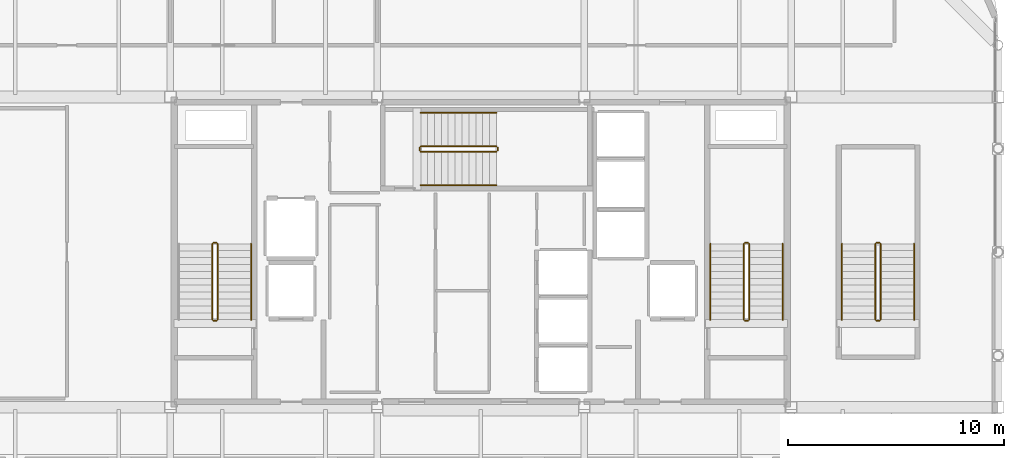
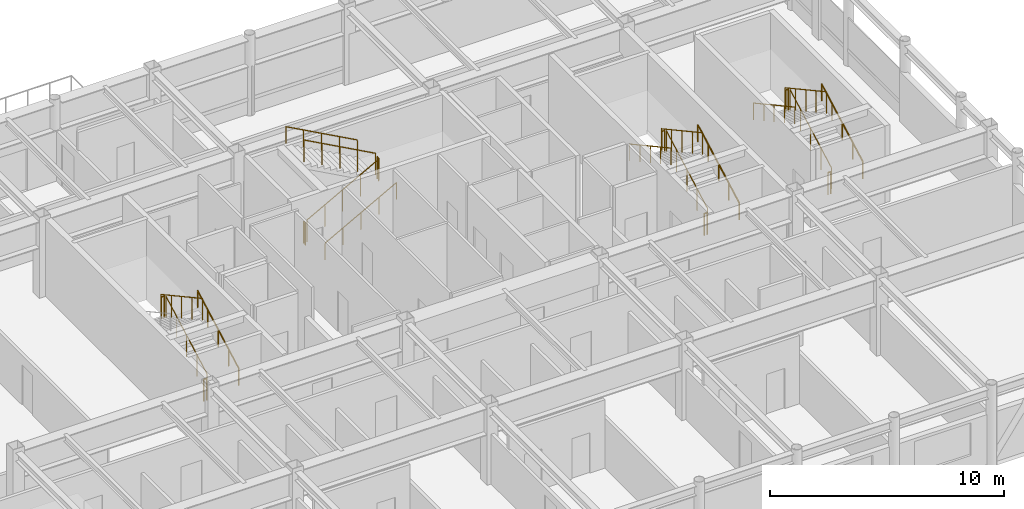
# One storey, part 22 of 23: 23 railings.
"""IFC4 building model written with IfcOpenShell, lengths in metres."""

from ifc_helpers import new_model, si_unit, direction, frame, origin, origin_2d, place, context, subcontext, project, spatial, circle, extrude, material, layer, layer_set, type_object, element, save


model = new_model("IFC4")

# Units and contexts
model_context = context("Model", 3, precision=1e-05, world=origin(), true_north=direction((0.0, 1.0)))
body_context = subcontext(model_context, "Body", "Model", "MODEL_VIEW")
ifc_project = project(units=[si_unit("LENGTHUNIT", "METRE"), si_unit("AREAUNIT", "SQUARE_METRE"), si_unit("VOLUMEUNIT", "CUBIC_METRE"), si_unit("PLANEANGLEUNIT", "RADIAN"), si_unit("MASSUNIT", "GRAM", prefix="KILO")], contexts=[model_context])

# Site, building, storey
site_placement = place(None, origin())
site = spatial("IfcSite", under=ifc_project, at=site_placement, CompositionType="ELEMENT")
building_placement = place(site_placement, origin())
building = spatial("IfcBuilding", under=site, at=building_placement, Name="Kallvorn Hotel Tower", CompositionType="ELEMENT")
storey_placement = place(building_placement, frame((0.0, 0.0, 282.199951171875)))
storey = spatial("IfcBuildingStorey", under=building, at=storey_placement, Name="L70", CompositionType="ELEMENT", Elevation=282.199951171875)

# Railings
ifc_material_1 = material(Name="Brushed stainless-steel tubular railing", Category="steel")
ifc_layer_1 = layer(ifc_material_1, 0.050048828125)
ifc_layer_set_1 = layer_set([ifc_layer_1], Name="RL_STAIR_GUARD")
railing_type_1 = type_object("IfcRailingType", Name="RL_STAIR_GUARD", PredefinedType="GUARDRAIL", material=ifc_layer_set_1)
railing_1_placement = place(storey_placement, frame((-12.2099609375, -3.139892578125, 0.175048828125)))
element("IfcRailing", 1, at=railing_1_placement, inside=storey, type_object=railing_type_1, Name="L70 ST1 stair guard 1", PredefinedType="GUARDRAIL", context=body_context, shape_type="SweptSolid", body=[
    extrude(circle(Radius=0.02392578125, at=origin_2d()), frame((0.0, 0.0, 1.1259765625), z_axis=(0.0, 0.877353125902, 0.479845279721), x_axis=(-1.0, 0.0, 0.0)), (0.0, 0.0, 1.0), 4.01171875),
    extrude(circle(Radius=0.02099609375, at=origin_2d()), origin(), (0.0, 0.0, 1.0), 1.101806640625),
    extrude(circle(Radius=0.02099609375, at=origin_2d()), frame((0.0, 0.8798828125, 0.481201171875)), (0.0, 0.0, 1.0), 1.101806640625),
    extrude(circle(Radius=0.02099609375, at=origin_2d()), frame((0.0, 1.759765625, 0.96240234375)), (0.0, 0.0, 1.0), 1.101806640625),
    extrude(circle(Radius=0.02099609375, at=origin_2d()), frame((0.0, 2.639892578125, 1.44384765625)), (0.0, 0.0, 1.0), 1.101806640625),
    extrude(circle(Radius=0.02099609375, at=origin_2d()), frame((0.0, 3.519775390625, 1.925048828125)), (0.0, 0.0, 1.0), 1.101806640625),
])
railing_2_placement = place(storey_placement, frame((-12.260009765625, 0.429931640625, 2.10009765625)))
element("IfcRailing", 2, at=railing_2_placement, inside=storey, type_object=railing_type_1, Name="L70 ST1 stair guard 2", PredefinedType="GUARDRAIL", context=body_context, shape_type="SweptSolid", body=[
    extrude(circle(Radius=0.02392578125, at=origin_2d()), frame((0.0, 0.0, 1.1259765625), z_axis=(-1.0, 0.0, 0.0), x_axis=(0.0, -1.0, 0.0)), (0.0, 0.0, 1.0), 0.139892578125),
    extrude(circle(Radius=0.02099609375, at=origin_2d()), origin(), (0.0, 0.0, 1.0), 1.101806640625),
    extrude(circle(Radius=0.02099609375, at=origin_2d()), frame((-0.139892578125, 0.0, 0.0)), (0.0, 0.0, 1.0), 1.101806640625),
])
railing_3_placement = place(storey_placement, frame((-12.449951171875, 0.3798828125, 2.275146484375)))
element("IfcRailing", 3, at=railing_3_placement, inside=storey, type_object=railing_type_1, Name="L70 ST1 stair guard 3", PredefinedType="GUARDRAIL", context=body_context, shape_type="SweptSolid", body=[
    extrude(circle(Radius=0.02392578125, at=origin_2d()), frame((0.0, 0.0, 1.1259765625), z_axis=(0.0, -0.877378745167, 0.479798434272), x_axis=(1.0, 0.0, 0.0)), (0.0, 0.0, 1.0), 4.01171875),
    extrude(circle(Radius=0.02099609375, at=origin_2d()), origin(), (0.0, 0.0, 1.0), 1.101806640625),
    extrude(circle(Radius=0.02099609375, at=origin_2d()), frame((0.0, -0.8798828125, 0.481201171875)), (0.0, 0.0, 1.0), 1.101806640625),
    extrude(circle(Radius=0.02099609375, at=origin_2d()), frame((0.0, -1.759765625, 0.96240234375)), (0.0, 0.0, 1.0), 1.101806640625),
    extrude(circle(Radius=0.02099609375, at=origin_2d()), frame((0.0, -2.639892578125, 1.443603515625)), (0.0, 0.0, 1.0), 1.101806640625),
    extrude(circle(Radius=0.02099609375, at=origin_2d()), frame((0.0, -3.519775390625, 1.9248046875)), (0.0, 0.0, 1.0), 1.101806640625),
])
railing_4_placement = place(storey_placement, frame((-12.260009765625, -3.18994140625, 0.0)))
element("IfcRailing", 4, at=railing_4_placement, inside=storey, type_object=railing_type_1, Name="L70 ST1 stair guard 4", PredefinedType="GUARDRAIL", context=body_context, shape_type="SweptSolid", body=[
    extrude(circle(Radius=0.02392578125, at=origin_2d()), frame((0.0, 0.0, 1.1259765625), z_axis=(-1.0, 0.0, 0.0), x_axis=(0.0, -1.0, 0.0)), (0.0, 0.0, 1.0), 0.139892578125),
    extrude(circle(Radius=0.02099609375, at=origin_2d()), origin(), (0.0, 0.0, 1.0), 1.101806640625),
    extrude(circle(Radius=0.02099609375, at=origin_2d()), frame((-0.139892578125, 0.0, 0.0)), (0.0, 0.0, 1.0), 1.101806640625),
])
railing_5_placement = place(storey_placement, frame((12.449951171875, -3.139892578125, 0.175048828125)))
element("IfcRailing", 5, at=railing_5_placement, inside=storey, type_object=railing_type_1, Name="L70 ST2 stair guard 1", PredefinedType="GUARDRAIL", context=body_context, shape_type="SweptSolid", body=[
    extrude(circle(Radius=0.02392578125, at=origin_2d()), frame((0.0, 0.0, 1.1259765625), z_axis=(0.0, 0.877353125902, 0.479845279721), x_axis=(-1.0, 0.0, 0.0)), (0.0, 0.0, 1.0), 4.01171875),
    extrude(circle(Radius=0.02099609375, at=origin_2d()), origin(), (0.0, 0.0, 1.0), 1.101806640625),
    extrude(circle(Radius=0.02099609375, at=origin_2d()), frame((0.0, 0.8798828125, 0.481201171875)), (0.0, 0.0, 1.0), 1.101806640625),
    extrude(circle(Radius=0.02099609375, at=origin_2d()), frame((0.0, 1.759765625, 0.96240234375)), (0.0, 0.0, 1.0), 1.101806640625),
    extrude(circle(Radius=0.02099609375, at=origin_2d()), frame((0.0, 2.639892578125, 1.44384765625)), (0.0, 0.0, 1.0), 1.101806640625),
    extrude(circle(Radius=0.02099609375, at=origin_2d()), frame((0.0, 3.519775390625, 1.925048828125)), (0.0, 0.0, 1.0), 1.101806640625),
])
railing_6_placement = place(storey_placement, frame((12.39990234375, 0.429931640625, 2.10009765625)))
element("IfcRailing", 6, at=railing_6_placement, inside=storey, type_object=railing_type_1, Name="L70 ST2 stair guard 2", PredefinedType="GUARDRAIL", context=body_context, shape_type="SweptSolid", body=[
    extrude(circle(Radius=0.02392578125, at=origin_2d()), frame((0.0, 0.0, 1.1259765625), z_axis=(-1.0, 0.0, 0.0), x_axis=(0.0, -1.0, 0.0)), (0.0, 0.0, 1.0), 0.139892578125),
    extrude(circle(Radius=0.02099609375, at=origin_2d()), origin(), (0.0, 0.0, 1.0), 1.101806640625),
    extrude(circle(Radius=0.02099609375, at=origin_2d()), frame((-0.139892578125, 0.0, 0.0)), (0.0, 0.0, 1.0), 1.101806640625),
])
railing_7_placement = place(storey_placement, frame((12.2099609375, 0.3798828125, 2.275146484375)))
element("IfcRailing", 7, at=railing_7_placement, inside=storey, type_object=railing_type_1, Name="L70 ST2 stair guard 3", PredefinedType="GUARDRAIL", context=body_context, shape_type="SweptSolid", body=[
    extrude(circle(Radius=0.02392578125, at=origin_2d()), frame((0.0, 0.0, 1.1259765625), z_axis=(0.0, -0.877378745167, 0.479798434272), x_axis=(1.0, 0.0, 0.0)), (0.0, 0.0, 1.0), 4.01171875),
    extrude(circle(Radius=0.02099609375, at=origin_2d()), origin(), (0.0, 0.0, 1.0), 1.101806640625),
    extrude(circle(Radius=0.02099609375, at=origin_2d()), frame((0.0, -0.8798828125, 0.481201171875)), (0.0, 0.0, 1.0), 1.101806640625),
    extrude(circle(Radius=0.02099609375, at=origin_2d()), frame((0.0, -1.759765625, 0.96240234375)), (0.0, 0.0, 1.0), 1.101806640625),
    extrude(circle(Radius=0.02099609375, at=origin_2d()), frame((0.0, -2.639892578125, 1.443603515625)), (0.0, 0.0, 1.0), 1.101806640625),
    extrude(circle(Radius=0.02099609375, at=origin_2d()), frame((0.0, -3.519775390625, 1.9248046875)), (0.0, 0.0, 1.0), 1.101806640625),
])
railing_8_placement = place(storey_placement, frame((12.39990234375, -3.18994140625, 0.0)))
element("IfcRailing", 8, at=railing_8_placement, inside=storey, type_object=railing_type_1, Name="L70 ST2 stair guard 4", PredefinedType="GUARDRAIL", context=body_context, shape_type="SweptSolid", body=[
    extrude(circle(Radius=0.02392578125, at=origin_2d()), frame((0.0, 0.0, 1.1259765625), z_axis=(-1.0, 0.0, 0.0), x_axis=(0.0, -1.0, 0.0)), (0.0, 0.0, 1.0), 0.139892578125),
    extrude(circle(Radius=0.02099609375, at=origin_2d()), origin(), (0.0, 0.0, 1.0), 1.101806640625),
    extrude(circle(Radius=0.02099609375, at=origin_2d()), frame((-0.139892578125, 0.0, 0.0)), (0.0, 0.0, 1.0), 1.101806640625),
])
railing_9_placement = place(storey_placement, frame((-2.7900390625, 4.659912109375, 0.175048828125)))
element("IfcRailing", 9, at=railing_9_placement, inside=storey, type_object=railing_type_1, Name="L70 ST3 stair guard 1", PredefinedType="GUARDRAIL", context=body_context, shape_type="SweptSolid", body=[
    extrude(circle(Radius=0.02392578125, at=origin_2d()), frame((0.0, 0.0, 1.1259765625), z_axis=(0.877367136839, 0.0, 0.479819661117), x_axis=(0.0, 1.0, 0.0)), (0.0, 0.0, 1.0), 4.011962890625),
    extrude(circle(Radius=0.02099609375, at=origin_2d()), origin(), (0.0, 0.0, 1.0), 1.101806640625),
    extrude(circle(Radius=0.02099609375, at=origin_2d()), frame((0.8798828125, 0.0, 0.481201171875)), (0.0, 0.0, 1.0), 1.101806640625),
    extrude(circle(Radius=0.02099609375, at=origin_2d()), frame((1.760009765625, 0.0, 0.96240234375)), (0.0, 0.0, 1.0), 1.101806640625),
    extrude(circle(Radius=0.02099609375, at=origin_2d()), frame((2.64013671875, 0.0, 1.44384765625)), (0.0, 0.0, 1.0), 1.101806640625),
    extrude(circle(Radius=0.02099609375, at=origin_2d()), frame((3.52001953125, 0.0, 1.925048828125)), (0.0, 0.0, 1.0), 1.101806640625),
])
railing_10_placement = place(storey_placement, frame((0.780029296875, 4.7099609375, 2.10009765625)))
element("IfcRailing", 10, at=railing_10_placement, inside=storey, type_object=railing_type_1, Name="L70 ST3 stair guard 2", PredefinedType="GUARDRAIL", context=body_context, shape_type="SweptSolid", body=[
    extrude(circle(Radius=0.02392578125, at=origin_2d()), frame((0.0, 0.0, 1.1259765625), z_axis=(0.0, 1.0, 0.0), x_axis=(-1.0, 0.0, 0.0)), (0.0, 0.0, 1.0), 0.14013671875),
    extrude(circle(Radius=0.02099609375, at=origin_2d()), origin(), (0.0, 0.0, 1.0), 1.101806640625),
    extrude(circle(Radius=0.02099609375, at=origin_2d()), frame((0.0, 0.14013671875, 0.0)), (0.0, 0.0, 1.0), 1.101806640625),
])
railing_11_placement = place(storey_placement, frame((0.72998046875, 4.89990234375, 2.275146484375)))
element("IfcRailing", 11, at=railing_11_placement, inside=storey, type_object=railing_type_1, Name="L70 ST3 stair guard 3", PredefinedType="GUARDRAIL", context=body_context, shape_type="SweptSolid", body=[
    extrude(circle(Radius=0.02392578125, at=origin_2d()), frame((0.0, 0.0, 1.1259765625), z_axis=(-0.877392753778, 0.0, 0.479772816673), x_axis=(0.0, -1.0, 0.0)), (0.0, 0.0, 1.0), 4.011962890625),
    extrude(circle(Radius=0.02099609375, at=origin_2d()), origin(), (0.0, 0.0, 1.0), 1.101806640625),
    extrude(circle(Radius=0.02099609375, at=origin_2d()), frame((-0.8798828125, 0.0, 0.481201171875)), (0.0, 0.0, 1.0), 1.101806640625),
    extrude(circle(Radius=0.02099609375, at=origin_2d()), frame((-1.760009765625, 0.0, 0.96240234375)), (0.0, 0.0, 1.0), 1.101806640625),
    extrude(circle(Radius=0.02099609375, at=origin_2d()), frame((-2.64013671875, 0.0, 1.443603515625)), (0.0, 0.0, 1.0), 1.101806640625),
    extrude(circle(Radius=0.02099609375, at=origin_2d()), frame((-3.52001953125, 0.0, 1.9248046875)), (0.0, 0.0, 1.0), 1.101806640625),
])
railing_12_placement = place(storey_placement, frame((-2.840087890625, 4.7099609375, 0.0)))
element("IfcRailing", 12, at=railing_12_placement, inside=storey, type_object=railing_type_1, Name="L70 ST3 stair guard 4", PredefinedType="GUARDRAIL", context=body_context, shape_type="SweptSolid", body=[
    extrude(circle(Radius=0.02392578125, at=origin_2d()), frame((0.0, 0.0, 1.1259765625), z_axis=(0.0, 1.0, 0.0), x_axis=(-1.0, 0.0, 0.0)), (0.0, 0.0, 1.0), 0.14013671875),
    extrude(circle(Radius=0.02099609375, at=origin_2d()), origin(), (0.0, 0.0, 1.0), 1.101806640625),
    extrude(circle(Radius=0.02099609375, at=origin_2d()), frame((0.0, 0.14013671875, 0.0)), (0.0, 0.0, 1.0), 1.101806640625),
])
railing_13_placement = place(storey_placement, frame((18.550048828125, -3.139892578125, 0.175048828125)))
element("IfcRailing", 13, at=railing_13_placement, inside=storey, type_object=railing_type_1, Name="L70 ST4 stair guard 1", PredefinedType="GUARDRAIL", context=body_context, shape_type="SweptSolid", body=[
    extrude(circle(Radius=0.02392578125, at=origin_2d()), frame((0.0, 0.0, 1.1259765625), z_axis=(0.0, 0.877353125902, 0.479845279721), x_axis=(-1.0, 0.0, 0.0)), (0.0, 0.0, 1.0), 4.01171875),
    extrude(circle(Radius=0.02099609375, at=origin_2d()), origin(), (0.0, 0.0, 1.0), 1.101806640625),
    extrude(circle(Radius=0.02099609375, at=origin_2d()), frame((0.0, 0.8798828125, 0.481201171875)), (0.0, 0.0, 1.0), 1.101806640625),
    extrude(circle(Radius=0.02099609375, at=origin_2d()), frame((0.0, 1.759765625, 0.96240234375)), (0.0, 0.0, 1.0), 1.101806640625),
    extrude(circle(Radius=0.02099609375, at=origin_2d()), frame((0.0, 2.639892578125, 1.44384765625)), (0.0, 0.0, 1.0), 1.101806640625),
    extrude(circle(Radius=0.02099609375, at=origin_2d()), frame((0.0, 3.519775390625, 1.925048828125)), (0.0, 0.0, 1.0), 1.101806640625),
])
railing_14_placement = place(storey_placement, frame((18.5, 0.429931640625, 2.10009765625)))
element("IfcRailing", 14, at=railing_14_placement, inside=storey, type_object=railing_type_1, Name="L70 ST4 stair guard 2", PredefinedType="GUARDRAIL", context=body_context, shape_type="SweptSolid", body=[
    extrude(circle(Radius=0.02392578125, at=origin_2d()), frame((0.0, 0.0, 1.1259765625), z_axis=(-1.0, 0.0, 0.0), x_axis=(0.0, -1.0, 0.0)), (0.0, 0.0, 1.0), 0.139892578125),
    extrude(circle(Radius=0.02099609375, at=origin_2d()), origin(), (0.0, 0.0, 1.0), 1.101806640625),
    extrude(circle(Radius=0.02099609375, at=origin_2d()), frame((-0.139892578125, 0.0, 0.0)), (0.0, 0.0, 1.0), 1.101806640625),
])
railing_15_placement = place(storey_placement, frame((18.31005859375, 0.3798828125, 2.275146484375)))
element("IfcRailing", 15, at=railing_15_placement, inside=storey, type_object=railing_type_1, Name="L70 ST4 stair guard 3", PredefinedType="GUARDRAIL", context=body_context, shape_type="SweptSolid", body=[
    extrude(circle(Radius=0.02392578125, at=origin_2d()), frame((0.0, 0.0, 1.1259765625), z_axis=(0.0, -0.877378745167, 0.479798434272), x_axis=(1.0, 0.0, 0.0)), (0.0, 0.0, 1.0), 4.01171875),
    extrude(circle(Radius=0.02099609375, at=origin_2d()), origin(), (0.0, 0.0, 1.0), 1.101806640625),
    extrude(circle(Radius=0.02099609375, at=origin_2d()), frame((0.0, -0.8798828125, 0.481201171875)), (0.0, 0.0, 1.0), 1.101806640625),
    extrude(circle(Radius=0.02099609375, at=origin_2d()), frame((0.0, -1.759765625, 0.96240234375)), (0.0, 0.0, 1.0), 1.101806640625),
    extrude(circle(Radius=0.02099609375, at=origin_2d()), frame((0.0, -2.639892578125, 1.443603515625)), (0.0, 0.0, 1.0), 1.101806640625),
    extrude(circle(Radius=0.02099609375, at=origin_2d()), frame((0.0, -3.519775390625, 1.9248046875)), (0.0, 0.0, 1.0), 1.101806640625),
])
railing_16_placement = place(storey_placement, frame((18.5, -3.18994140625, 0.0)))
element("IfcRailing", 16, at=railing_16_placement, inside=storey, type_object=railing_type_1, Name="L70 ST4 stair guard 4", PredefinedType="GUARDRAIL", context=body_context, shape_type="SweptSolid", body=[
    extrude(circle(Radius=0.02392578125, at=origin_2d()), frame((0.0, 0.0, 1.1259765625), z_axis=(-1.0, 0.0, 0.0), x_axis=(0.0, -1.0, 0.0)), (0.0, 0.0, 1.0), 0.139892578125),
    extrude(circle(Radius=0.02099609375, at=origin_2d()), origin(), (0.0, 0.0, 1.0), 1.101806640625),
    extrude(circle(Radius=0.02099609375, at=origin_2d()), frame((-0.139892578125, 0.0, 0.0)), (0.0, 0.0, 1.0), 1.101806640625),
])
ifc_material_2 = material(Name="Brushed stainless-steel tubular railing", Category="steel")
ifc_layer_2 = layer(ifc_material_2, 0.050048828125)
ifc_layer_set_2 = layer_set([ifc_layer_2], Name="RL_STAIR_HAND")
railing_type_2 = type_object("IfcRailingType", Name="RL_STAIR_HAND", PredefinedType="HANDRAIL", material=ifc_layer_set_2)
for number, where, name in (
    (17, (-10.64990234375, -3.139892578125, 0.175048828125), "L70 ST1 stair handrail 1"),
    (18, (14.010009765625, -3.139892578125, 0.175048828125), "L70 ST2 stair handrail 1"),
):
    element("IfcRailing", number, at=place(storey_placement, frame(where)), inside=storey, type_object=railing_type_2, Name=name, PredefinedType="HANDRAIL", context=body_context, shape_type="SweptSolid", body=[
        extrude(circle(Radius=0.02392578125, at=origin_2d()), frame((0.0, 0.0, 0.8759765625), z_axis=(0.0, 0.877353125902, 0.479845279721), x_axis=(-1.0, 0.0, 0.0)), (0.0, 0.0, 1.0), 4.01171875),
        extrude(circle(Radius=0.02099609375, at=origin_2d()), origin(), (0.0, 0.0, 1.0), 0.851806640625),
        extrude(circle(Radius=0.02099609375, at=origin_2d()), frame((0.0, 0.8798828125, 0.481201171875)), (0.0, 0.0, 1.0), 0.851806640625),
        extrude(circle(Radius=0.02099609375, at=origin_2d()), frame((0.0, 1.759765625, 0.96240234375)), (0.0, 0.0, 1.0), 0.851806640625),
        extrude(circle(Radius=0.02099609375, at=origin_2d()), frame((0.0, 2.639892578125, 1.44384765625)), (0.0, 0.0, 1.0), 0.851806640625),
        extrude(circle(Radius=0.02099609375, at=origin_2d()), frame((0.0, 3.519775390625, 1.925048828125)), (0.0, 0.0, 1.0), 0.851806640625),
    ])
railing_17_placement = place(storey_placement, frame((10.64990234375, 0.3798828125, 2.275146484375)))
element("IfcRailing", 19, at=railing_17_placement, inside=storey, type_object=railing_type_2, Name="L70 ST2 stair handrail 2", PredefinedType="HANDRAIL", context=body_context, shape_type="SweptSolid", body=[
    extrude(circle(Radius=0.02392578125, at=origin_2d()), frame((0.0, 0.0, 0.8759765625), z_axis=(0.0, -0.877378745167, 0.479798434272), x_axis=(1.0, 0.0, 0.0)), (0.0, 0.0, 1.0), 4.01171875),
    extrude(circle(Radius=0.02099609375, at=origin_2d()), origin(), (0.0, 0.0, 1.0), 0.851806640625),
    extrude(circle(Radius=0.02099609375, at=origin_2d()), frame((0.0, -0.8798828125, 0.481201171875)), (0.0, 0.0, 1.0), 0.851806640625),
    extrude(circle(Radius=0.02099609375, at=origin_2d()), frame((0.0, -1.759765625, 0.96240234375)), (0.0, 0.0, 1.0), 0.851806640625),
    extrude(circle(Radius=0.02099609375, at=origin_2d()), frame((0.0, -2.639892578125, 1.443603515625)), (0.0, 0.0, 1.0), 0.851806640625),
    extrude(circle(Radius=0.02099609375, at=origin_2d()), frame((0.0, -3.519775390625, 1.9248046875)), (0.0, 0.0, 1.0), 0.851806640625),
])
railing_18_placement = place(storey_placement, frame((-2.7900390625, 3.10009765625, 0.175048828125)))
element("IfcRailing", 20, at=railing_18_placement, inside=storey, type_object=railing_type_2, Name="L70 ST3 stair handrail 1", PredefinedType="HANDRAIL", context=body_context, shape_type="SweptSolid", body=[
    extrude(circle(Radius=0.02392578125, at=origin_2d()), frame((0.0, 0.0, 0.8759765625), z_axis=(0.877367136839, 0.0, 0.479819661117), x_axis=(0.0, 1.0, 0.0)), (0.0, 0.0, 1.0), 4.011962890625),
    extrude(circle(Radius=0.02099609375, at=origin_2d()), origin(), (0.0, 0.0, 1.0), 0.851806640625),
    extrude(circle(Radius=0.02099609375, at=origin_2d()), frame((0.8798828125, 0.0, 0.481201171875)), (0.0, 0.0, 1.0), 0.851806640625),
    extrude(circle(Radius=0.02099609375, at=origin_2d()), frame((1.760009765625, 0.0, 0.96240234375)), (0.0, 0.0, 1.0), 0.851806640625),
    extrude(circle(Radius=0.02099609375, at=origin_2d()), frame((2.64013671875, 0.0, 1.44384765625)), (0.0, 0.0, 1.0), 0.851806640625),
    extrude(circle(Radius=0.02099609375, at=origin_2d()), frame((3.52001953125, 0.0, 1.925048828125)), (0.0, 0.0, 1.0), 0.851806640625),
])
railing_19_placement = place(storey_placement, frame((0.72998046875, 6.4599609375, 2.275146484375)))
element("IfcRailing", 21, at=railing_19_placement, inside=storey, type_object=railing_type_2, Name="L70 ST3 stair handrail 2", PredefinedType="HANDRAIL", context=body_context, shape_type="SweptSolid", body=[
    extrude(circle(Radius=0.02392578125, at=origin_2d()), frame((0.0, 0.0, 0.8759765625), z_axis=(-0.877392753778, 0.0, 0.479772816673), x_axis=(0.0, -1.0, 0.0)), (0.0, 0.0, 1.0), 4.011962890625),
    extrude(circle(Radius=0.02099609375, at=origin_2d()), origin(), (0.0, 0.0, 1.0), 0.851806640625),
    extrude(circle(Radius=0.02099609375, at=origin_2d()), frame((-0.8798828125, 0.0, 0.481201171875)), (0.0, 0.0, 1.0), 0.851806640625),
    extrude(circle(Radius=0.02099609375, at=origin_2d()), frame((-1.760009765625, 0.0, 0.96240234375)), (0.0, 0.0, 1.0), 0.851806640625),
    extrude(circle(Radius=0.02099609375, at=origin_2d()), frame((-2.64013671875, 0.0, 1.443603515625)), (0.0, 0.0, 1.0), 0.851806640625),
    extrude(circle(Radius=0.02099609375, at=origin_2d()), frame((-3.52001953125, 0.0, 1.9248046875)), (0.0, 0.0, 1.0), 0.851806640625),
])
railing_20_placement = place(storey_placement, frame((20.110107421875, -3.139892578125, 0.175048828125)))
element("IfcRailing", 22, at=railing_20_placement, inside=storey, type_object=railing_type_2, Name="L70 ST4 stair handrail 1", PredefinedType="HANDRAIL", context=body_context, shape_type="SweptSolid", body=[
    extrude(circle(Radius=0.02392578125, at=origin_2d()), frame((0.0, 0.0, 0.8759765625), z_axis=(0.0, 0.877353125902, 0.479845279721), x_axis=(-1.0, 0.0, 0.0)), (0.0, 0.0, 1.0), 4.01171875),
    extrude(circle(Radius=0.02099609375, at=origin_2d()), origin(), (0.0, 0.0, 1.0), 0.851806640625),
    extrude(circle(Radius=0.02099609375, at=origin_2d()), frame((0.0, 0.8798828125, 0.481201171875)), (0.0, 0.0, 1.0), 0.851806640625),
    extrude(circle(Radius=0.02099609375, at=origin_2d()), frame((0.0, 1.759765625, 0.96240234375)), (0.0, 0.0, 1.0), 0.851806640625),
    extrude(circle(Radius=0.02099609375, at=origin_2d()), frame((0.0, 2.639892578125, 1.44384765625)), (0.0, 0.0, 1.0), 0.851806640625),
    extrude(circle(Radius=0.02099609375, at=origin_2d()), frame((0.0, 3.519775390625, 1.925048828125)), (0.0, 0.0, 1.0), 0.851806640625),
])
railing_21_placement = place(storey_placement, frame((16.75, 0.3798828125, 2.275146484375)))
element("IfcRailing", 23, at=railing_21_placement, inside=storey, type_object=railing_type_2, Name="L70 ST4 stair handrail 2", PredefinedType="HANDRAIL", context=body_context, shape_type="SweptSolid", body=[
    extrude(circle(Radius=0.02392578125, at=origin_2d()), frame((0.0, 0.0, 0.8759765625), z_axis=(0.0, -0.877378745167, 0.479798434272), x_axis=(1.0, 0.0, 0.0)), (0.0, 0.0, 1.0), 4.01171875),
    extrude(circle(Radius=0.02099609375, at=origin_2d()), origin(), (0.0, 0.0, 1.0), 0.851806640625),
    extrude(circle(Radius=0.02099609375, at=origin_2d()), frame((0.0, -0.8798828125, 0.481201171875)), (0.0, 0.0, 1.0), 0.851806640625),
    extrude(circle(Radius=0.02099609375, at=origin_2d()), frame((0.0, -1.759765625, 0.96240234375)), (0.0, 0.0, 1.0), 0.851806640625),
    extrude(circle(Radius=0.02099609375, at=origin_2d()), frame((0.0, -2.639892578125, 1.443603515625)), (0.0, 0.0, 1.0), 0.851806640625),
    extrude(circle(Radius=0.02099609375, at=origin_2d()), frame((0.0, -3.519775390625, 1.9248046875)), (0.0, 0.0, 1.0), 0.851806640625),
])

save(model, "model.ifc")
